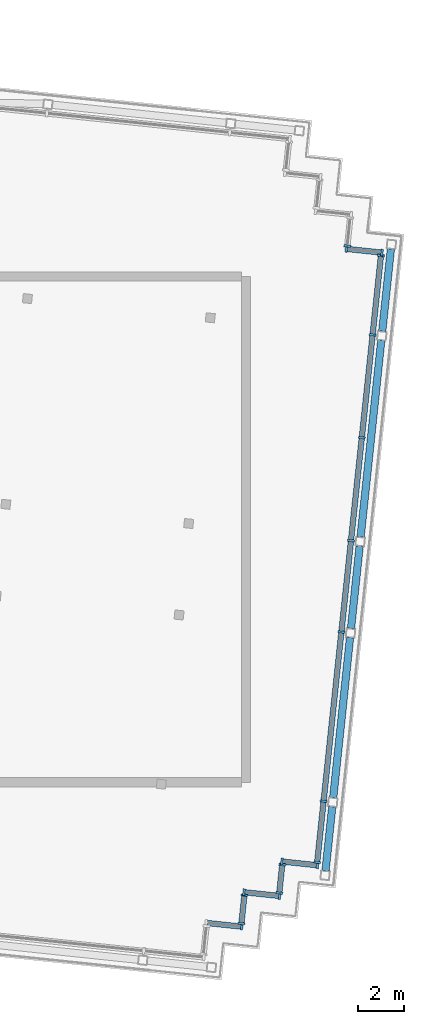
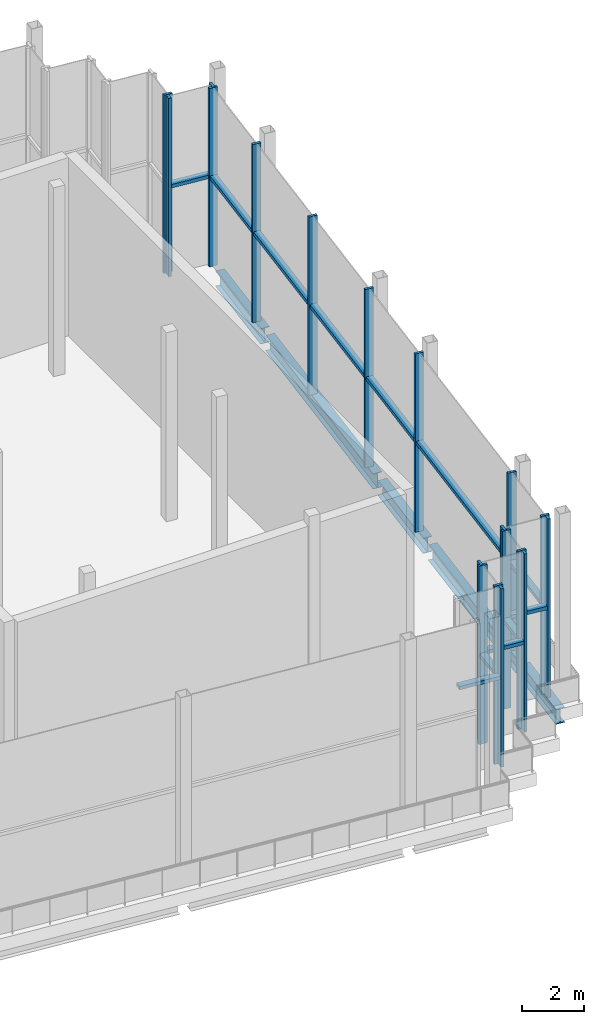
# One storey, part 4 of 14: 31 members, 5 beams, 8 elements without a shape of their own.
"""IFC4 building model written with IfcOpenShell, lengths in metres."""

from ifc_helpers import new_model, si_unit, direction, frame, origin, origin_2d, place, context, subcontext, project, spatial, rectangle, i_section, extrude, material, material_profile, profile_set, type_object, element, aggregate, save


model = new_model("IFC4")

# Units and contexts
model_context = context("Model", 3, precision=1e-05, world=origin(), true_north=direction((0.0, 1.0)))
body_context = subcontext(model_context, "Body", "Model", "MODEL_VIEW")
ifc_project = project(units=[si_unit("LENGTHUNIT", "METRE"), si_unit("AREAUNIT", "SQUARE_METRE"), si_unit("VOLUMEUNIT", "CUBIC_METRE"), si_unit("PLANEANGLEUNIT", "RADIAN"), si_unit("MASSUNIT", "GRAM", prefix="KILO")], contexts=[model_context])

# Site, building, storey
site_placement = place(None, origin())
site = spatial("IfcSite", under=ifc_project, at=site_placement, CompositionType="ELEMENT")
building_placement = place(site_placement, origin())
building = spatial("IfcBuilding", under=site, at=building_placement, Name="Vidyagriha Tower", CompositionType="ELEMENT")
storey_placement = place(building_placement, frame((0.0, 0.0, 301.699951171875)))
storey = spatial("IfcBuildingStorey", under=building, at=storey_placement, Name="L78", CompositionType="ELEMENT", Elevation=301.699951171875)

# Beams
ifc_material_1 = material(Name="Steel ASTM A992 Grade 50", Category="steel")
ifc_material_profile_1 = material_profile(ifc_material_1, i_section(OverallWidth=0.32373046875, OverallDepth=0.612060546875, WebThickness=0.0126953125, FlangeThickness=0.01904296875, at=origin_2d()), Name="W24X104")
ifc_profile_set_1 = profile_set([ifc_material_profile_1], Name="Steel ASTM A992 Grade 50")
beam_type = type_object("IfcBeamType", Name="Edge beam W24X104", PredefinedType="SPANDREL", material=ifc_profile_set_1)
beam_1_placement = place(storey_placement, frame((29.962646484375, -13.846923828125, -0.805908203125), z_axis=(0.104553147, 0.994519300694, 0.0), x_axis=(-0.994519300694, 0.104553147, 0.0)))
element("IfcBeam", 1, at=beam_1_placement, inside=storey, type_object=beam_type, Name="st-beam-L78-E13", PredefinedType="SPANDREL", context=body_context, shape_type="SweptSolid", body=[
    extrude(i_section(OverallWidth=0.32373046875, OverallDepth=0.612060546875, WebThickness=0.0126953125, FlangeThickness=0.01904296875, at=origin_2d()), origin(), (0.0, 0.0, 1.0), 2.7998046875),
])
beam_2_placement = place(storey_placement, frame((30.297119140625, -10.66455078125, -0.805908203125), z_axis=(0.104526832686, 0.994522066748, 0.0), x_axis=(-0.994522066748, 0.104526832686, 0.0)))
element("IfcBeam", 2, at=beam_2_placement, inside=storey, type_object=beam_type, Name="st-beam-L78-E14", PredefinedType="SPANDREL", context=body_context, shape_type="SweptSolid", body=[
    extrude(i_section(OverallWidth=0.32373046875, OverallDepth=0.612060546875, WebThickness=0.0126953125, FlangeThickness=0.01904296875, at=origin_2d()), origin(), (0.0, 0.0, 1.0), 7.0),
])
beam_3_placement = place(storey_placement, frame((31.070556640625, -3.30517578125, -0.805908203125), z_axis=(0.104571819597, 0.994517337479, 0.0), x_axis=(-0.994517337479, 0.104571819597, 0.0)))
element("IfcBeam", 3, at=beam_3_placement, inside=storey, type_object=beam_type, Name="st-beam-L78-E15", PredefinedType="SPANDREL", context=body_context, shape_type="SweptSolid", body=[
    extrude(i_section(OverallWidth=0.32373046875, OverallDepth=0.612060546875, WebThickness=0.0126953125, FlangeThickness=0.01904296875, at=origin_2d()), origin(), (0.0, 0.0, 1.0), 3.60009765625),
])
beam_4_placement = place(storey_placement, frame((31.48876953125, 0.673095703125, -0.805908203125), z_axis=(0.104528138401, 0.994521929513, 0.0), x_axis=(-0.994521929513, 0.104528138401, 0.0)))
element("IfcBeam", 4, at=beam_4_placement, inside=storey, type_object=beam_type, Name="st-beam-L78-E16", PredefinedType="SPANDREL", context=body_context, shape_type="SweptSolid", body=[
    extrude(i_section(OverallWidth=0.32373046875, OverallDepth=0.612060546875, WebThickness=0.0126953125, FlangeThickness=0.01904296875, at=origin_2d()), origin(), (0.0, 0.0, 1.0), 8.599853515625),
])
beam_5_placement = place(storey_placement, frame((32.429443359375, 9.623779296875, -0.805908203125), z_axis=(0.104571819597, 0.994517337479, 0.0), x_axis=(-0.994517337479, 0.104571819597, 0.0)))
element("IfcBeam", 5, at=beam_5_placement, inside=storey, type_object=beam_type, Name="st-beam-L78-E17", PredefinedType="SPANDREL", context=body_context, shape_type="SweptSolid", body=[
    extrude(i_section(OverallWidth=0.32373046875, OverallDepth=0.612060546875, WebThickness=0.0126953125, FlangeThickness=0.01904296875, at=origin_2d()), origin(), (0.0, 0.0, 1.0), 3.60009765625),
])

# Curtain wall, members
ifc_material_2 = material(Name="Aluminium and glass curtain wall", Category="aluminium")
curtain_wall_type = type_object("IfcCurtainWallType", Name="Damper floor glazing wall", PredefinedType="USERDEFINED", material=ifc_material_2)
curtain_wall_1_placement = place(storey_placement, origin())
curtain_wall_1 = element("IfcCurtainWall", 6, at=curtain_wall_1_placement, inside=storey, type_object=curtain_wall_type, Name="CW5 damper floor glazing", ObjectType="STICK GLAZING", PredefinedType="USERDEFINED")
ifc_material_3 = material(Name="Aluminium black anodised", Category="aluminium")
ifc_material_profile_2 = material_profile(ifc_material_3, rectangle(XDim=0.300048828125, YDim=0.10009765625, at=origin_2d()), Name="Mullion 100x300 black aluminium")
ifc_profile_set_2 = profile_set([ifc_material_profile_2], Name="Aluminium black anodised")
member_type_1 = type_object("IfcMemberType", Name="Mullion 100x300 black aluminium", PredefinedType="MULLION", material=ifc_profile_set_2)
member_1_placement = place(storey_placement, frame((32.4169921875, 13.043701171875, 0.0), z_axis=(0.0, 0.0, 1.0), x_axis=(-0.104465258184, -0.99452853646, 0.0)))
member_1 = element("IfcMember", 7, at=member_1_placement, type_object=member_type_1, Name="CW5 mullion 1", PredefinedType="MULLION", context=body_context, shape_type="SweptSolid", body=[
    extrude(rectangle(XDim=0.300048828125, YDim=0.10009765625, at=origin_2d()), origin(), (0.0, 0.0, 1.0), 7.080078125),
])
member_2_placement = place(storey_placement, frame((30.865478515625, 13.206787109375, 0.0), z_axis=(0.0, 0.0, 1.0), x_axis=(-0.104465258184, -0.99452853646, 0.0)))
member_2 = element("IfcMember", 8, at=member_2_placement, type_object=member_type_1, Name="CW5 mullion 2", PredefinedType="MULLION", context=body_context, shape_type="SweptSolid", body=[
    extrude(rectangle(XDim=0.300048828125, YDim=0.10009765625, at=origin_2d()), origin(), (0.0, 0.0, 1.0), 7.080078125),
])

# Curtain wall, member
curtain_wall_2_placement = place(storey_placement, origin())
curtain_wall_2 = element("IfcCurtainWall", 9, at=curtain_wall_2_placement, inside=storey, type_object=curtain_wall_type, Name="CW5 damper floor glazing", ObjectType="STICK GLAZING", PredefinedType="USERDEFINED")
member_3_placement = place(storey_placement, frame((30.908935546875, 13.332763671875, 0.0), z_axis=(0.0, 0.0, 1.0), x_axis=(-0.994527511623, 0.104475014354, 0.0)))
member_3 = element("IfcMember", 10, at=member_3_placement, type_object=member_type_1, Name="CW5 mullion 1", PredefinedType="MULLION", context=body_context, shape_type="SweptSolid", body=[
    extrude(rectangle(XDim=0.300048828125, YDim=0.10009765625, at=origin_2d()), origin(), (0.0, 0.0, 1.0), 7.080078125),
])
aggregate(curtain_wall_2, [member_3])

curtain_wall_3_placement = place(storey_placement, origin())
curtain_wall_3 = element("IfcCurtainWall", 11, at=curtain_wall_3_placement, inside=storey, type_object=curtain_wall_type, Name="CW5 damper floor glazing", ObjectType="STICK GLAZING", PredefinedType="USERDEFINED")
member_4_placement = place(storey_placement, frame((26.318359375, -16.279541015625, 0.0), z_axis=(0.0, 0.0, 1.0), x_axis=(0.104518583201, 0.994522933756, 0.0)))
member_4 = element("IfcMember", 12, at=member_4_placement, type_object=member_type_1, Name="CW5 mullion 2", PredefinedType="MULLION", context=body_context, shape_type="SweptSolid", body=[
    extrude(rectangle(XDim=0.300048828125, YDim=0.10009765625, at=origin_2d()), origin(), (0.0, 0.0, 1.0), 7.080078125),
])

# Curtain wall, members
curtain_wall_4_placement = place(storey_placement, origin())
curtain_wall_4 = element("IfcCurtainWall", 13, at=curtain_wall_4_placement, inside=storey, type_object=curtain_wall_type, Name="CW5 damper floor glazing", ObjectType="STICK GLAZING", PredefinedType="USERDEFINED")
member_5_placement = place(storey_placement, frame((26.30224609375, -16.14697265625, 0.0), z_axis=(0.0, 0.0, 1.0), x_axis=(-0.994519755162, 0.104548823962, 0.0)))
member_5 = element("IfcMember", 14, at=member_5_placement, type_object=member_type_1, Name="CW5 mullion 1", PredefinedType="MULLION", context=body_context, shape_type="SweptSolid", body=[
    extrude(rectangle(XDim=0.300048828125, YDim=0.10009765625, at=origin_2d()), origin(), (0.0, 0.0, 1.0), 7.080078125),
])
member_6_placement = place(storey_placement, frame((26.431884765625, -14.913818359375, 0.0), z_axis=(0.0, 0.0, 1.0), x_axis=(-0.994519755162, 0.104548823962, 0.0)))
member_6 = element("IfcMember", 15, at=member_6_placement, type_object=member_type_1, Name="CW5 mullion 2", PredefinedType="MULLION", context=body_context, shape_type="SweptSolid", body=[
    extrude(rectangle(XDim=0.300048828125, YDim=0.10009765625, at=origin_2d()), origin(), (0.0, 0.0, 1.0), 7.080078125),
])

curtain_wall_5_placement = place(storey_placement, origin())
curtain_wall_5 = element("IfcCurtainWall", 16, at=curtain_wall_5_placement, inside=storey, type_object=curtain_wall_type, Name="CW5 damper floor glazing", ObjectType="STICK GLAZING", PredefinedType="USERDEFINED")
member_7_placement = place(storey_placement, frame((26.41552734375, -14.781494140625, 0.0), z_axis=(0.0, 0.0, 1.0), x_axis=(0.104518583201, 0.994522933756, 0.0)))
member_7 = element("IfcMember", 17, at=member_7_placement, type_object=member_type_1, Name="CW5 mullion 1", PredefinedType="MULLION", context=body_context, shape_type="SweptSolid", body=[
    extrude(rectangle(XDim=0.300048828125, YDim=0.10009765625, at=origin_2d()), origin(), (0.0, 0.0, 1.0), 7.080078125),
])
member_8_placement = place(storey_placement, frame((27.967041015625, -14.944580078125, 0.0), z_axis=(0.0, 0.0, 1.0), x_axis=(0.104518583201, 0.994522933756, 0.0)))
member_8 = element("IfcMember", 18, at=member_8_placement, type_object=member_type_1, Name="CW5 mullion 2", PredefinedType="MULLION", context=body_context, shape_type="SweptSolid", body=[
    extrude(rectangle(XDim=0.300048828125, YDim=0.10009765625, at=origin_2d()), origin(), (0.0, 0.0, 1.0), 7.080078125),
])

curtain_wall_6_placement = place(storey_placement, origin())
curtain_wall_6 = element("IfcCurtainWall", 19, at=curtain_wall_6_placement, inside=storey, type_object=curtain_wall_type, Name="CW5 damper floor glazing", ObjectType="STICK GLAZING", PredefinedType="USERDEFINED")
member_9_placement = place(storey_placement, frame((27.95068359375, -14.81201171875, 0.0), z_axis=(0.0, 0.0, 1.0), x_axis=(-0.994519755162, 0.104548823962, 0.0)))
member_9 = element("IfcMember", 20, at=member_9_placement, type_object=member_type_1, Name="CW5 mullion 1", PredefinedType="MULLION", context=body_context, shape_type="SweptSolid", body=[
    extrude(rectangle(XDim=0.300048828125, YDim=0.10009765625, at=origin_2d()), origin(), (0.0, 0.0, 1.0), 7.080078125),
])
member_10_placement = place(storey_placement, frame((28.080322265625, -13.578857421875, 0.0), z_axis=(0.0, 0.0, 1.0), x_axis=(-0.994519755162, 0.104548823962, 0.0)))
member_10 = element("IfcMember", 21, at=member_10_placement, type_object=member_type_1, Name="CW5 mullion 2", PredefinedType="MULLION", context=body_context, shape_type="SweptSolid", body=[
    extrude(rectangle(XDim=0.300048828125, YDim=0.10009765625, at=origin_2d()), origin(), (0.0, 0.0, 1.0), 7.080078125),
])

curtain_wall_7_placement = place(storey_placement, origin())
curtain_wall_7 = element("IfcCurtainWall", 22, at=curtain_wall_7_placement, inside=storey, type_object=curtain_wall_type, Name="CW5 damper floor glazing", ObjectType="STICK GLAZING", PredefinedType="USERDEFINED")
member_11_placement = place(storey_placement, frame((28.06396484375, -13.446533203125, 0.0), z_axis=(0.0, 0.0, 1.0), x_axis=(0.104512321721, 0.994523591781, 0.0)))
member_11 = element("IfcMember", 23, at=member_11_placement, type_object=member_type_1, Name="CW5 mullion 1", PredefinedType="MULLION", context=body_context, shape_type="SweptSolid", body=[
    extrude(rectangle(XDim=0.300048828125, YDim=0.10009765625, at=origin_2d()), origin(), (0.0, 0.0, 1.0), 7.080078125),
])
member_12_placement = place(storey_placement, frame((29.615478515625, -13.609375, 0.0), z_axis=(0.0, 0.0, 1.0), x_axis=(0.104512321721, 0.994523591781, 0.0)))
member_12 = element("IfcMember", 24, at=member_12_placement, type_object=member_type_1, Name="CW5 mullion 2", PredefinedType="MULLION", context=body_context, shape_type="SweptSolid", body=[
    extrude(rectangle(XDim=0.300048828125, YDim=0.10009765625, at=origin_2d()), origin(), (0.0, 0.0, 1.0), 7.080078125),
])

curtain_wall_8_placement = place(storey_placement, origin())
curtain_wall_8 = element("IfcCurtainWall", 25, at=curtain_wall_8_placement, inside=storey, type_object=curtain_wall_type, Name="CW5 damper floor glazing", ObjectType="STICK GLAZING", PredefinedType="USERDEFINED")
member_13_placement = place(storey_placement, frame((29.599365234375, -13.47705078125, 0.0), z_axis=(0.0, 0.0, 1.0), x_axis=(-0.994522059728, 0.104526899479, 0.0)))
member_13 = element("IfcMember", 26, at=member_13_placement, type_object=member_type_1, Name="CW5 mullion 1", PredefinedType="MULLION", context=body_context, shape_type="SweptSolid", body=[
    extrude(rectangle(XDim=0.300048828125, YDim=0.10009765625, at=origin_2d()), origin(), (0.0, 0.0, 1.0), 7.080078125),
])
member_14_placement = place(storey_placement, frame((29.87841796875, -10.82177734375, 0.0), z_axis=(0.0, 0.0, 1.0), x_axis=(-0.994522059728, 0.104526899479, 0.0)))
member_14 = element("IfcMember", 27, at=member_14_placement, type_object=member_type_1, Name="CW5 mullion 2", PredefinedType="MULLION", context=body_context, shape_type="SweptSolid", body=[
    extrude(rectangle(XDim=0.300048828125, YDim=0.10009765625, at=origin_2d()), origin(), (0.0, 0.0, 1.0), 7.080078125),
])
member_15_placement = place(storey_placement, frame((30.65185546875, -3.462158203125, 0.0), z_axis=(0.0, 0.0, 1.0), x_axis=(-0.994522059728, 0.104526899479, 0.0)))
member_15 = element("IfcMember", 28, at=member_15_placement, type_object=member_type_1, Name="CW5 mullion 3", PredefinedType="MULLION", context=body_context, shape_type="SweptSolid", body=[
    extrude(rectangle(XDim=0.300048828125, YDim=0.10009765625, at=origin_2d()), origin(), (0.0, 0.0, 1.0), 7.080078125),
])
member_16_placement = place(storey_placement, frame((31.070068359375, 0.515869140625, 0.0), z_axis=(0.0, 0.0, 1.0), x_axis=(-0.994522059728, 0.104526899479, 0.0)))
member_16 = element("IfcMember", 29, at=member_16_placement, type_object=member_type_1, Name="CW5 mullion 4", PredefinedType="MULLION", context=body_context, shape_type="SweptSolid", body=[
    extrude(rectangle(XDim=0.300048828125, YDim=0.10009765625, at=origin_2d()), origin(), (0.0, 0.0, 1.0), 7.080078125),
])
member_17_placement = place(storey_placement, frame((31.540283203125, 4.9912109375, 0.0), z_axis=(0.0, 0.0, 1.0), x_axis=(-0.994522059728, 0.104526899479, 0.0)))
member_17 = element("IfcMember", 30, at=member_17_placement, type_object=member_type_1, Name="CW5 mullion 5", PredefinedType="MULLION", context=body_context, shape_type="SweptSolid", body=[
    extrude(rectangle(XDim=0.300048828125, YDim=0.10009765625, at=origin_2d()), origin(), (0.0, 0.0, 1.0), 7.080078125),
])
member_18_placement = place(storey_placement, frame((32.0107421875, 9.466552734375, 0.0), z_axis=(0.0, 0.0, 1.0), x_axis=(-0.994522059728, 0.104526899479, 0.0)))
member_18 = element("IfcMember", 31, at=member_18_placement, type_object=member_type_1, Name="CW5 mullion 6", PredefinedType="MULLION", context=body_context, shape_type="SweptSolid", body=[
    extrude(rectangle(XDim=0.300048828125, YDim=0.10009765625, at=origin_2d()), origin(), (0.0, 0.0, 1.0), 7.080078125),
])
member_19_placement = place(storey_placement, frame((32.37353515625, 12.91748046875, 0.0), z_axis=(0.0, 0.0, 1.0), x_axis=(-0.994522059728, 0.104526899479, 0.0)))
member_19 = element("IfcMember", 32, at=member_19_placement, type_object=member_type_1, Name="CW5 mullion 7", PredefinedType="MULLION", context=body_context, shape_type="SweptSolid", body=[
    extrude(rectangle(XDim=0.300048828125, YDim=0.10009765625, at=origin_2d()), origin(), (0.0, 0.0, 1.0), 7.080078125),
])

# Member
ifc_material_4 = material(Name="Aluminium black anodised", Category="aluminium")
ifc_material_profile_3 = material_profile(ifc_material_4, rectangle(XDim=0.239990234375, YDim=0.139892578125, at=origin_2d()), Name="Transom 140x240 black aluminium")
ifc_profile_set_3 = profile_set([ifc_material_profile_3], Name="Aluminium black anodised")
member_type_2 = type_object("IfcMemberType", Name="Transom 140x240 black aluminium", PredefinedType="USERDEFINED", material=ifc_profile_set_3)
member_20_placement = place(storey_placement, frame((32.3671875, 13.048828125, 3.5400390625), z_axis=(-0.99452284952, 0.104519384723, 0.0), x_axis=(-0.104519384723, -0.99452284952, 0.0)))
member_20 = element("IfcMember", 33, at=member_20_placement, type_object=member_type_2, Name="CW5 transom 1.1", ObjectType="TRANSOM", PredefinedType="USERDEFINED", context=body_context, shape_type="SweptSolid", body=[
    extrude(rectangle(XDim=0.239990234375, YDim=0.139892578125, at=origin_2d()), origin(), (0.0, 0.0, 1.0), 1.4599609375),
])

aggregate(curtain_wall_1, [member_1, member_2, member_20])

member_21_placement = place(storey_placement, frame((24.816650390625, -16.12158203125, 3.5400390625), z_axis=(0.994524675946, -0.10450200445, 0.0), x_axis=(0.10450200445, 0.994524675946, 0.0)))
member_21 = element("IfcMember", 34, at=member_21_placement, type_object=member_type_2, Name="CW5 transom 1.1", ObjectType="TRANSOM", PredefinedType="USERDEFINED", context=body_context, shape_type="SweptSolid", body=[
    extrude(rectangle(XDim=0.239990234375, YDim=0.139892578125, at=origin_2d()), origin(), (0.0, 0.0, 1.0), 1.460205078125),
])

aggregate(curtain_wall_3, [member_4, member_21])

member_22_placement = place(storey_placement, frame((26.307373046875, -16.097412109375, 3.5400390625), z_axis=(0.104718226703, 0.994501932123, 0.0), x_axis=(-0.994501932123, 0.104718226703, 0.0)))
member_22 = element("IfcMember", 35, at=member_22_placement, type_object=member_type_2, Name="CW5 transom 1.1", ObjectType="TRANSOM", PredefinedType="USERDEFINED", context=body_context, shape_type="SweptSolid", body=[
    extrude(rectangle(XDim=0.239990234375, YDim=0.139892578125, at=origin_2d()), origin(), (0.0, 0.0, 1.0), 1.14013671875),
])

aggregate(curtain_wall_4, [member_5, member_6, member_22])

member_23_placement = place(storey_placement, frame((26.46533203125, -14.78662109375, 3.5400390625), z_axis=(0.99452284952, -0.104519384723, 0.0), x_axis=(0.104519384723, 0.99452284952, 0.0)))
member_23 = element("IfcMember", 36, at=member_23_placement, type_object=member_type_2, Name="CW5 transom 1.1", ObjectType="TRANSOM", PredefinedType="USERDEFINED", context=body_context, shape_type="SweptSolid", body=[
    extrude(rectangle(XDim=0.239990234375, YDim=0.139892578125, at=origin_2d()), origin(), (0.0, 0.0, 1.0), 1.4599609375),
])

aggregate(curtain_wall_5, [member_7, member_8, member_23])

member_24_placement = place(storey_placement, frame((27.9560546875, -14.762451171875, 3.5400390625), z_axis=(0.104506420204, 0.994524211941, 0.0), x_axis=(-0.994524211941, 0.104506420204, 0.0)))
member_24 = element("IfcMember", 37, at=member_24_placement, type_object=member_type_2, Name="CW5 transom 1.1", ObjectType="TRANSOM", PredefinedType="USERDEFINED", context=body_context, shape_type="SweptSolid", body=[
    extrude(rectangle(XDim=0.239990234375, YDim=0.139892578125, at=origin_2d()), origin(), (0.0, 0.0, 1.0), 1.14013671875),
])

aggregate(curtain_wall_6, [member_9, member_10, member_24])

member_25_placement = place(storey_placement, frame((28.11376953125, -13.45166015625, 3.5400390625), z_axis=(0.994524675946, -0.10450200445, 0.0), x_axis=(0.10450200445, 0.994524675946, 0.0)))
member_25 = element("IfcMember", 38, at=member_25_placement, type_object=member_type_2, Name="CW5 transom 1.1", ObjectType="TRANSOM", PredefinedType="USERDEFINED", context=body_context, shape_type="SweptSolid", body=[
    extrude(rectangle(XDim=0.239990234375, YDim=0.139892578125, at=origin_2d()), origin(), (0.0, 0.0, 1.0), 1.460205078125),
])

aggregate(curtain_wall_7, [member_11, member_12, member_25])

member_26_placement = place(storey_placement, frame((29.6044921875, -13.42724609375, 3.5400390625), z_axis=(0.104590828894, 0.9945153385, 0.0), x_axis=(-0.9945153385, 0.104590828894, 0.0)))
member_26 = element("IfcMember", 39, at=member_26_placement, type_object=member_type_2, Name="CW5 transom 1.1", ObjectType="TRANSOM", PredefinedType="USERDEFINED", context=body_context, shape_type="SweptSolid", body=[
    extrude(rectangle(XDim=0.239990234375, YDim=0.139892578125, at=origin_2d()), origin(), (0.0, 0.0, 1.0), 2.570068359375),
])

member_27_placement = place(storey_placement, frame((29.883544921875, -10.77197265625, 3.5400390625), z_axis=(0.104545510425, 0.994520103492, 0.0), x_axis=(-0.994520103492, 0.104545510425, 0.0)))
member_27 = element("IfcMember", 40, at=member_27_placement, type_object=member_type_2, Name="CW5 transom 2.1", ObjectType="TRANSOM", PredefinedType="USERDEFINED", context=body_context, shape_type="SweptSolid", body=[
    extrude(rectangle(XDim=0.239990234375, YDim=0.139892578125, at=origin_2d()), origin(), (0.0, 0.0, 1.0), 7.300048828125),
])

member_28_placement = place(storey_placement, frame((30.6572265625, -3.412353515625, 3.5400390625), z_axis=(0.104485993444, 0.99452635821, 0.0), x_axis=(-0.99452635821, 0.104485993444, 0.0)))
member_28 = element("IfcMember", 41, at=member_28_placement, type_object=member_type_2, Name="CW5 transom 3.1", ObjectType="TRANSOM", PredefinedType="USERDEFINED", context=body_context, shape_type="SweptSolid", body=[
    extrude(rectangle(XDim=0.239990234375, YDim=0.139892578125, at=origin_2d()), origin(), (0.0, 0.0, 1.0), 3.899658203125),
])

member_29_placement = place(storey_placement, frame((31.0751953125, 0.565673828125, 3.5400390625), z_axis=(0.104540361253, 0.994520644768, 0.0), x_axis=(-0.994520644768, 0.104540361253, 0.0)))
member_29 = element("IfcMember", 42, at=member_29_placement, type_object=member_type_2, Name="CW5 transom 4.1", ObjectType="TRANSOM", PredefinedType="USERDEFINED", context=body_context, shape_type="SweptSolid", body=[
    extrude(rectangle(XDim=0.239990234375, YDim=0.139892578125, at=origin_2d()), origin(), (0.0, 0.0, 1.0), 4.39990234375),
])

member_30_placement = place(storey_placement, frame((31.545654296875, 5.041015625, 3.5400390625), z_axis=(0.104540361253, 0.994520644768, 0.0), x_axis=(-0.994520644768, 0.104540361253, 0.0)))
member_30 = element("IfcMember", 43, at=member_30_placement, type_object=member_type_2, Name="CW5 transom 5.1", ObjectType="TRANSOM", PredefinedType="USERDEFINED", context=body_context, shape_type="SweptSolid", body=[
    extrude(rectangle(XDim=0.239990234375, YDim=0.139892578125, at=origin_2d()), origin(), (0.0, 0.0, 1.0), 4.39990234375),
])

member_31_placement = place(storey_placement, frame((32.015869140625, 9.51611328125, 3.5400390625), z_axis=(0.104530179526, 0.994521714981, 0.0), x_axis=(-0.994521714981, 0.104530179526, 0.0)))
member_31 = element("IfcMember", 44, at=member_31_placement, type_object=member_type_2, Name="CW5 transom 6.1", ObjectType="TRANSOM", PredefinedType="USERDEFINED", context=body_context, shape_type="SweptSolid", body=[
    extrude(rectangle(XDim=0.239990234375, YDim=0.139892578125, at=origin_2d()), origin(), (0.0, 0.0, 1.0), 3.370361328125),
])

aggregate(curtain_wall_8, [member_13, member_14, member_15, member_16, member_17, member_18, member_19, member_26, member_27, member_28, member_29, member_30, member_31])

save(model, "model.ifc")
